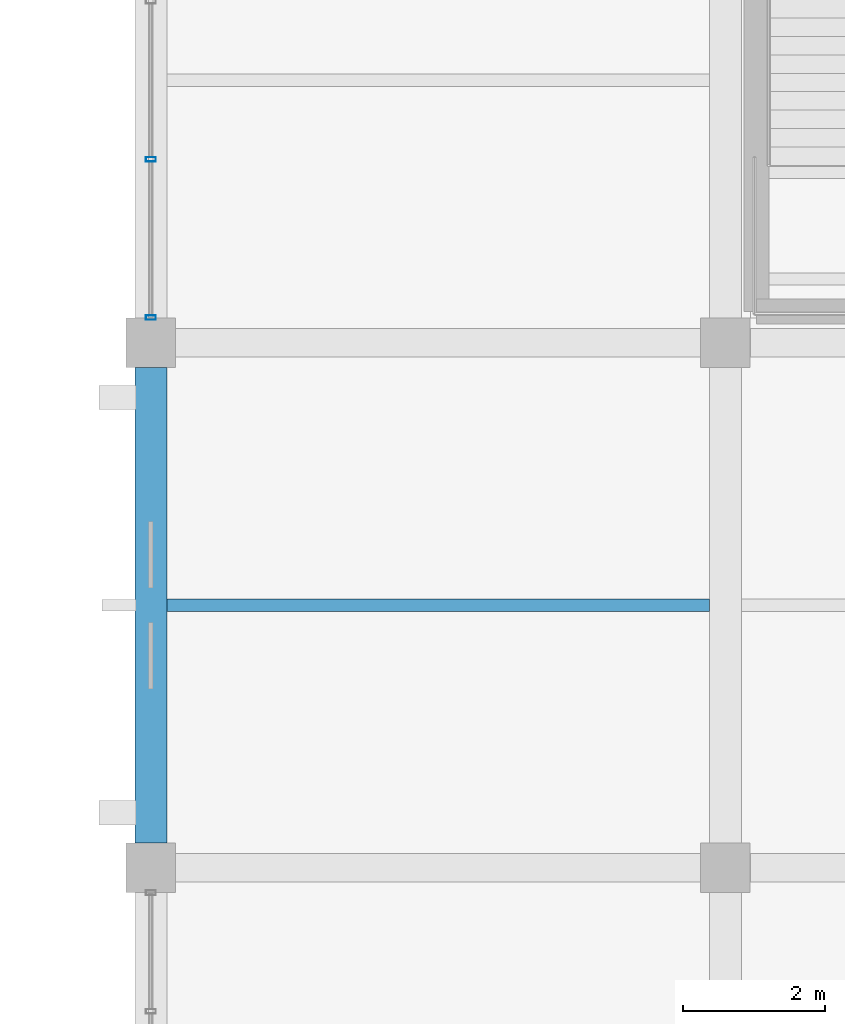
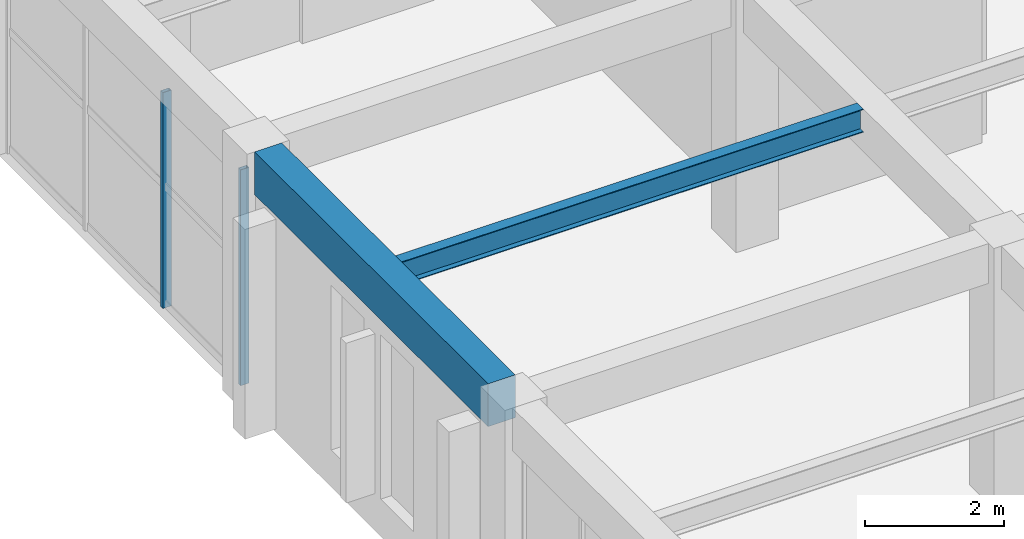
# One storey, part 25 of 161: 2 beams, 2 members, 1 element without a shape of its own.
"""IFC4 building model written with IfcOpenShell, lengths in metres."""

from ifc_helpers import new_model, si_unit, direction, frame, origin, origin_2d, place, context, subcontext, project, spatial, rectangle, hollow_rectangle, i_section, extrude, material, material_profile, profile_set, type_object, element, aggregate, save


model = new_model("IFC4")

# Units and contexts
model_context = context("Model", 3, precision=1e-05, world=origin(), true_north=direction((0.0, 1.0)))
body_context = subcontext(model_context, "Body", "Model", "MODEL_VIEW")
ifc_project = project(units=[si_unit("LENGTHUNIT", "METRE"), si_unit("AREAUNIT", "SQUARE_METRE"), si_unit("VOLUMEUNIT", "CUBIC_METRE"), si_unit("PLANEANGLEUNIT", "RADIAN"), si_unit("MASSUNIT", "GRAM", prefix="KILO")], contexts=[model_context])

# Site, building, storey
site_placement = place(None, origin())
site = spatial("IfcSite", under=ifc_project, at=site_placement, CompositionType="ELEMENT")
building_placement = place(site_placement, origin())
building = spatial("IfcBuilding", under=site, at=building_placement, Name="Cimatlan Art Gallery", CompositionType="ELEMENT")
storey_placement = place(building_placement, frame((0.0, 0.0, 5.39990234375)))
storey = spatial("IfcBuildingStorey", under=building, at=storey_placement, Name="L01", CompositionType="ELEMENT", Elevation=5.39990234375)

# Beams
ifc_material_1 = material(Name="Concrete C40/50", Category="concrete")
ifc_material_profile_1 = material_profile(ifc_material_1, rectangle(XDim=0.449951171875, YDim=0.75, at=origin_2d()), Name="RC450X750")
ifc_profile_set_1 = profile_set([ifc_material_profile_1], Name="Concrete C40/50")
beam_type_1 = type_object("IfcBeamType", Name="BM-RC-450X750", PredefinedType="BEAM", material=ifc_profile_set_1)
beam_1_placement = place(storey_placement, frame((34.39990234375, 46.449951171875, 4.18505859375), z_axis=(0.0, 1.0, 0.0), x_axis=(-1.0, 0.0, 0.0)))
element("IfcBeam", 1, at=beam_1_placement, inside=storey, type_object=beam_type_1, Name="BM-Y-L01-04-06", PredefinedType="BEAM", context=body_context, shape_type="SweptSolid", body=[
    extrude(rectangle(XDim=0.449951171875, YDim=0.75, at=origin_2d()), origin(), (0.0, 0.0, 1.0), 6.699951171875),
])
ifc_material_2 = material(Name="Steel ASTM A992 Grade 50", Category="steel")
ifc_material_profile_2 = material_profile(ifc_material_2, i_section(OverallWidth=0.177978515625, OverallDepth=0.406982421875, WebThickness=0.0078125, FlangeThickness=0.0126953125, at=origin_2d()), Name="W16X40")
ifc_profile_set_2 = profile_set([ifc_material_profile_2], Name="Steel ASTM A992 Grade 50")
beam_type_2 = type_object("IfcBeamType", Name="BM-STL-W16X40", PredefinedType="JOIST", material=ifc_profile_set_2)
beam_2_placement = place(storey_placement, frame((34.625, 49.800048828125, 4.356689453125), z_axis=(1.0, 0.0, 0.0), x_axis=(0.0, 1.0, 0.0)))
element("IfcBeam", 2, at=beam_2_placement, inside=storey, type_object=beam_type_2, Name="JST-L01-04-06", PredefinedType="JOIST", context=body_context, shape_type="SweptSolid", body=[
    extrude(i_section(OverallWidth=0.177978515625, OverallDepth=0.406982421875, WebThickness=0.0078125, FlangeThickness=0.0126953125, at=origin_2d()), origin(), (0.0, 0.0, 1.0), 7.64990234375),
])

# Curtain wall, members
ifc_material_3 = material(Name="Anodised bronze unitised curtain wall")
curtain_wall_type = type_object("IfcCurtainWallType", Name="CW-V-06692X03780-B3", PredefinedType="NOTDEFINED", material=ifc_material_3)
curtain_wall_placement = place(storey_placement, origin())
curtain_wall = element("IfcCurtainWall", 3, at=curtain_wall_placement, inside=storey, type_object=curtain_wall_type, Name="CW-L01-04-07-W", PredefinedType="NOTDEFINED")
ifc_material_4 = material(Name="Anodised bronze aluminium 6063-T6", Category="aluminium")
ifc_material_profile_3 = material_profile(ifc_material_4, hollow_rectangle(XDim=0.06494140625, YDim=0.139892578125, WallThickness=0.00390625, at=origin_2d()), Name="ALU65X140X4")
ifc_profile_set_3 = profile_set([ifc_material_profile_3], Name="Anodised bronze aluminium 6063-T6")
member_type = type_object("IfcMemberType", Name="CW-MUL-140", PredefinedType="MULLION", material=ifc_profile_set_3)
member_1_placement = place(storey_placement, frame((34.39990234375, 53.85400390625, 0.0), z_axis=(0.0, 0.0, 1.0), x_axis=(0.0, 1.0, 0.0)))
member_1 = element("IfcMember", 4, at=member_1_placement, type_object=member_type, Name="CW-L01-04-07-W-M1", PredefinedType="MULLION", context=body_context, shape_type="SweptSolid", body=[
    extrude(hollow_rectangle(XDim=0.06494140625, YDim=0.139892578125, WallThickness=0.00390625, at=origin_2d()), origin(), (0.0, 0.0, 1.0), 3.780029296875),
])
member_2_placement = place(storey_placement, frame((34.39990234375, 56.084716796875, 0.0), z_axis=(0.0, 0.0, 1.0), x_axis=(0.0, 1.0, 0.0)))
member_2 = element("IfcMember", 5, at=member_2_placement, type_object=member_type, Name="CW-L01-04-07-W-M2", PredefinedType="MULLION", context=body_context, shape_type="SweptSolid", body=[
    extrude(hollow_rectangle(XDim=0.06494140625, YDim=0.139892578125, WallThickness=0.00390625, at=origin_2d()), origin(), (0.0, 0.0, 1.0), 3.780029296875),
])
aggregate(curtain_wall, [member_1, member_2])

save(model, "model.ifc")
